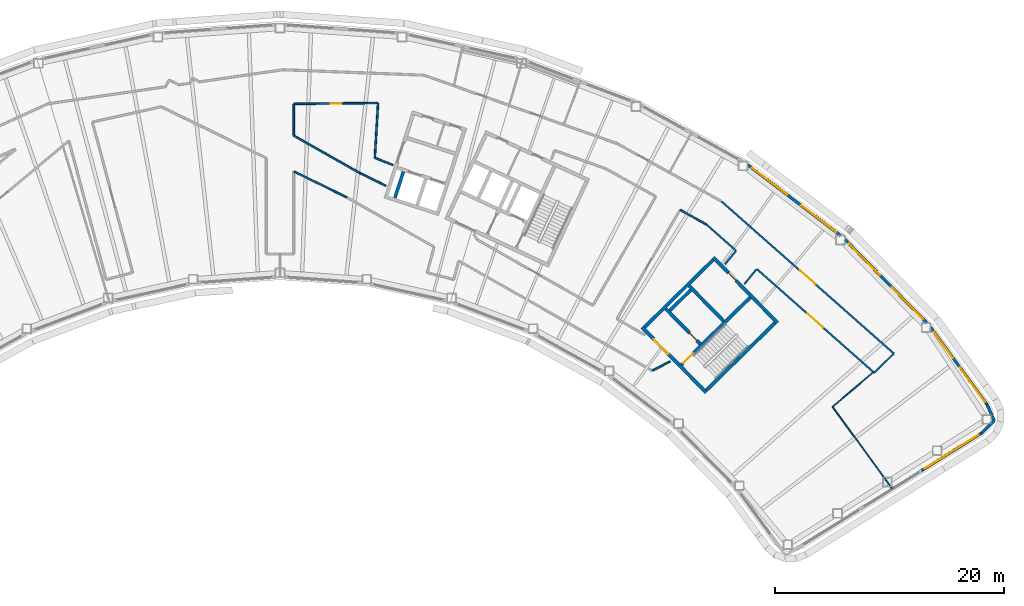
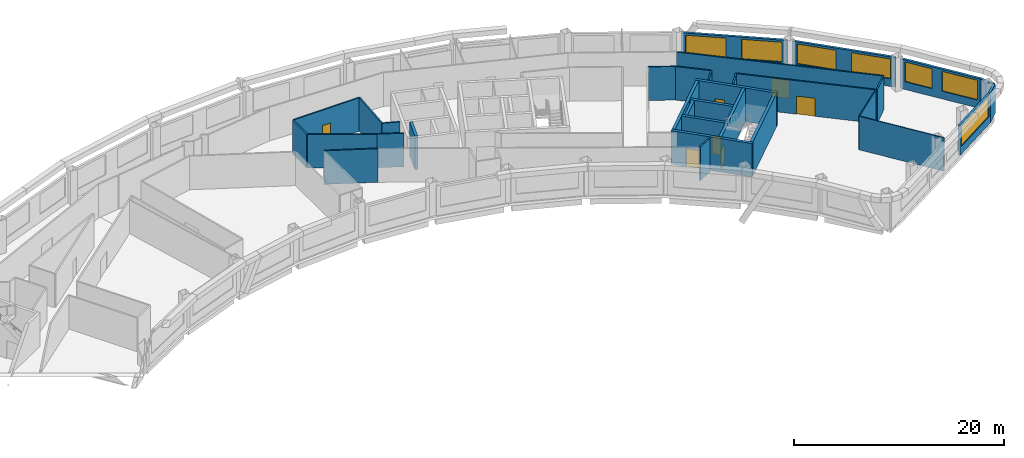
# One storey, part 9 of 13: 32 walls, 7 doors, 7 windows, 14 openings.
"""IFC4 building model written with IfcOpenShell, lengths in metres."""

from ifc_helpers import new_model, si_unit, direction, frame, frame_2d, origin, place, context, subcontext, project, spatial, rectangle, extrude, material, layer, layer_set, type_object, element, fill, save


model = new_model("IFC4")

# Units and contexts
model_context = context("Model", 3, precision=1e-05, world=origin(), true_north=direction((0.0, 1.0)))
body_context = subcontext(model_context, "Body", "Model", "MODEL_VIEW")
ifc_project = project(units=[si_unit("LENGTHUNIT", "METRE"), si_unit("AREAUNIT", "SQUARE_METRE"), si_unit("VOLUMEUNIT", "CUBIC_METRE"), si_unit("PLANEANGLEUNIT", "RADIAN"), si_unit("MASSUNIT", "GRAM", prefix="KILO")], contexts=[model_context])

# Site, building, storey
site_placement = place(None, origin())
site = spatial("IfcSite", under=ifc_project, at=site_placement, CompositionType="ELEMENT")
building_placement = place(site_placement, origin())
building = spatial("IfcBuilding", under=site, at=building_placement, Name="Tuul Gate Civic Tower", CompositionType="ELEMENT")
storey_placement = place(building_placement, frame((0.0, 0.0, 252.60009765625)))
storey = spatial("IfcBuildingStorey", under=building, at=storey_placement, Name="Level 57", CompositionType="ELEMENT", Elevation=252.60009765625)

# Wall, opening, door
ifc_material_1 = material(Name="Concrete C50/60", Category="concrete")
ifc_layer_1 = layer(ifc_material_1, 0.300048828125)
ifc_layer_set_1 = layer_set([ifc_layer_1], Name="Concrete C50/60")
wall_type_1 = type_object("IfcWallType", Name="Core wall C50/60", PredefinedType="SHEAR", material=ifc_layer_set_1)
wall_1_placement = place(storey_placement, frame((48.22509765625, -18.327880859375, 0.0), z_axis=(0.0, 0.0, 1.0), x_axis=(-0.700021979774, 0.714121297703, 0.0)))
wall_1 = element("IfcWall", 1, at=wall_1_placement, inside=storey, type_object=wall_type_1, Name="Core wall", PredefinedType="SHEAR", context=body_context, shape_type="SweptSolid", body=[
    extrude(rectangle(XDim=8.0, YDim=0.300048828125, at=frame_2d((4.0, 0.0))), origin(), (0.0, 0.0, 1.0), 3.89990234375),
])
opening_1_placement = place(wall_1_placement, frame((4.72509765625, 0.0, 0.0)))
opening_1 = element("IfcOpeningElement", 2, at=opening_1_placement, cuts=wall_1, Name="Opening LB-E1-LOBBY-1", PredefinedType="OPENING", context=body_context, shape_type="SweptSolid", body=[
    extrude(rectangle(XDim=1.800048828125, YDim=2.10009765625, at=frame_2d((0.89990234375, 1.050048828125))), frame((0.0, 0.16015625, 0.0), z_axis=(0.0, -1.0, 0.0), x_axis=(1.0, 0.0, 0.0)), (0.0, 0.0, 1.0), 0.320068359375),
])
ifc_material_2 = material(Name="Steel", Category="steel")
door_type_1 = type_object("IfcDoorType", Name="Lobby door", OperationType="DOUBLE_DOOR_SINGLE_SWING", PredefinedType="DOOR", material=ifc_material_2)
door_1_placement = place(opening_1_placement, frame((1.800048828125, 0.0, 0.0), z_axis=(0.0, 0.0, 1.0), x_axis=(-1.0, 0.0, 0.0)))
door_1 = element("IfcDoor", 3, at=door_1_placement, inside=storey, type_object=door_type_1, Name="Lobby door E1-LOBBY", OperationType="DOUBLE_DOOR_SINGLE_SWING", OverallHeight=2.10009765625, OverallWidth=1.800048828125, PredefinedType="DOOR", context=body_context, shape_type="SweptSolid", body=[
    extrude(rectangle(XDim=1.800048828125, YDim=2.10009765625, at=frame_2d((0.900146484375, 1.050048828125))), frame((0.0, 0.02490234375, 0.0), z_axis=(0.0, -1.0, 0.0), x_axis=(1.0, 0.0, 0.0)), (0.0, 0.0, 1.0), 0.050048828125),
])
fill(opening_1, door_1)

wall_2_placement = place(storey_placement, frame((47.701904296875, -14.079833984375, 0.0), z_axis=(0.0, 0.0, 1.0), x_axis=(-0.700002721075, 0.714140175657, 0.0)))
wall_2 = element("IfcWall", 4, at=wall_2_placement, inside=storey, type_object=wall_type_1, Name="Core wall", PredefinedType="SHEAR", context=body_context, shape_type="SweptSolid", body=[
    extrude(rectangle(XDim=4.300048828125, YDim=0.300048828125, at=frame_2d((2.14990234375, 0.0))), origin(), (0.0, 0.0, 1.0), 3.89990234375),
])
opening_2_placement = place(wall_2_placement, frame((0.425048828125, 0.0, 0.0)))
opening_2 = element("IfcOpeningElement", 5, at=opening_2_placement, cuts=wall_2, Name="Opening FB-E1A1", PredefinedType="OPENING", context=body_context, shape_type="SweptSolid", body=[
    extrude(rectangle(XDim=0.89990234375, YDim=2.10009765625, at=frame_2d((0.449951171875, 1.050048828125))), frame((0.0, 0.16015625, 0.0), z_axis=(0.0, -1.0, 0.0), x_axis=(1.0, 0.0, 0.0)), (0.0, 0.0, 1.0), 0.320068359375),
])
ifc_material_3 = material(Name="Steel", Category="steel")
door_type_2 = type_object("IfcDoorType", Name="Store door", OperationType="NOTDEFINED", PredefinedType="DOOR", material=ifc_material_3)
door_2_placement = place(opening_2_placement, frame((0.89990234375, 0.0, 0.0), z_axis=(0.0, 0.0, 1.0), x_axis=(-1.0, 0.0, 0.0)))
door_2 = element("IfcDoor", 6, at=door_2_placement, inside=storey, type_object=door_type_2, Name="Store door E1A1", OperationType="SINGLE_SWING_RIGHT", OverallHeight=2.10009765625, OverallWidth=0.89990234375, PredefinedType="DOOR", context=body_context, shape_type="SweptSolid", body=[
    extrude(rectangle(XDim=0.89990234375, YDim=2.10009765625, at=frame_2d((0.449951171875, 1.050048828125))), frame((0.0, 0.02490234375, 0.0), z_axis=(0.0, -1.0, 0.0), x_axis=(1.0, 0.0, 0.0)), (0.0, 0.0, 1.0), 0.050048828125),
])
fill(opening_2, door_2)

# Wall
wall_3_placement = place(storey_placement, frame((49.737060546875, -12.0849609375, 0.0), z_axis=(0.0, 0.0, 1.0), x_axis=(-0.700002721075, 0.714140175657, 0.0)))
element("IfcWall", 7, at=wall_3_placement, inside=storey, type_object=wall_type_1, Name="Core wall", PredefinedType="SHEAR", context=body_context, shape_type="SweptSolid", body=[
    extrude(rectangle(XDim=4.300048828125, YDim=0.300048828125, at=frame_2d((2.14990234375, 0.0))), origin(), (0.0, 0.0, 1.0), 3.89990234375),
])

# Wall, opening, door
wall_4_placement = place(storey_placement, frame((54.43798828125, -12.23779296875, 0.0), z_axis=(0.0, 0.0, 1.0), x_axis=(-0.700021979774, 0.714121297703, 0.0)))
wall_4 = element("IfcWall", 8, at=wall_4_placement, inside=storey, type_object=wall_type_1, Name="Core wall", PredefinedType="SHEAR", context=body_context, shape_type="SweptSolid", body=[
    extrude(rectangle(XDim=8.0, YDim=0.300048828125, at=frame_2d((4.0, 0.0))), origin(), (0.0, 0.0, 1.0), 3.89990234375),
])
opening_3_placement = place(wall_4_placement, frame((5.175048828125, 0.0, 0.0)))
opening_3 = element("IfcOpeningElement", 9, at=opening_3_placement, cuts=wall_4, Name="Opening U-D18", PredefinedType="OPENING", context=body_context, shape_type="SweptSolid", body=[
    extrude(rectangle(XDim=0.89990234375, YDim=2.10009765625, at=frame_2d((0.449951171875, 1.050048828125))), frame((0.0, 0.16015625, 0.0), z_axis=(0.0, -1.0, 0.0), x_axis=(1.0, 0.0, 0.0)), (0.0, 0.0, 1.0), 0.320068359375),
])
ifc_material_4 = material(Name="Timber door leaf", Category="wood")
door_type_3 = type_object("IfcDoorType", Name="Door D09", OperationType="NOTDEFINED", PredefinedType="DOOR", material=ifc_material_4)
door_3_placement = place(opening_3_placement, origin())
door_3 = element("IfcDoor", 10, at=door_3_placement, inside=storey, type_object=door_type_3, Name="Door U-D18", OperationType="SINGLE_SWING_LEFT", OverallHeight=2.10009765625, OverallWidth=0.89990234375, PredefinedType="DOOR", context=body_context, shape_type="SweptSolid", body=[
    extrude(rectangle(XDim=0.89990234375, YDim=2.10009765625, at=frame_2d((0.449951171875, 1.050048828125))), frame((0.0, 0.02490234375, 0.0), z_axis=(0.0, -1.0, 0.0), x_axis=(1.0, 0.0, 0.0)), (0.0, 0.0, 1.0), 0.050048828125),
])
fill(opening_3, door_3)

# Wall
wall_5_placement = place(storey_placement, frame((48.227294921875, -18.115966796875, 0.0), z_axis=(0.0, 0.0, 1.0), x_axis=(0.714105315431, 0.700038283577, 0.0)))
element("IfcWall", 11, at=wall_5_placement, inside=storey, type_object=wall_type_1, Name="Core wall", PredefinedType="SHEAR", context=body_context, shape_type="SweptSolid", body=[
    extrude(rectangle(XDim=8.400146484375, YDim=0.300048828125, at=frame_2d((4.2001953125, 0.0))), origin(), (0.0, 0.0, 1.0), 3.89990234375),
])

# Wall, opening, door
wall_6_placement = place(storey_placement, frame((46.05712890625, -15.902099609375, 0.0), z_axis=(0.0, 0.0, 1.0), x_axis=(0.714134086973, 0.700008932674, 0.0)))
wall_6 = element("IfcWall", 12, at=wall_6_placement, inside=storey, type_object=wall_type_1, Name="Core wall", PredefinedType="SHEAR", context=body_context, shape_type="SweptSolid", body=[
    extrude(rectangle(XDim=8.400146484375, YDim=0.300048828125, at=frame_2d((4.2001953125, 0.0))), origin(), (0.0, 0.0, 1.0), 3.89990234375),
])
opening_4_placement = place(wall_6_placement, frame((0.199951171875, 0.0, 0.0)))
opening_4 = element("IfcOpeningElement", 13, at=opening_4_placement, cuts=wall_6, Name="Opening SD-ST-3", PredefinedType="OPENING", context=body_context, shape_type="SweptSolid", body=[
    extrude(rectangle(XDim=1.199951171875, YDim=2.10009765625, at=frame_2d((0.60009765625, 1.050048828125))), frame((0.0, 0.16015625, 0.0), z_axis=(0.0, -1.0, 0.0), x_axis=(1.0, 0.0, 0.0)), (0.0, 0.0, 1.0), 0.320068359375),
])
ifc_material_5 = material(Name="Steel", Category="steel")
door_type_4 = type_object("IfcDoorType", Name="Stair door", OperationType="NOTDEFINED", PredefinedType="DOOR", material=ifc_material_5)
door_4_placement = place(opening_4_placement, origin())
door_4 = element("IfcDoor", 14, at=door_4_placement, inside=storey, type_object=door_type_4, Name="Stair door ST-3", OperationType="SINGLE_SWING_LEFT", OverallHeight=2.10009765625, OverallWidth=1.199951171875, PredefinedType="DOOR", context=body_context, shape_type="SweptSolid", body=[
    extrude(rectangle(XDim=1.199951171875, YDim=2.10009765625, at=frame_2d((0.60009765625, 1.050048828125))), frame((0.0, 0.02490234375, 0.0), z_axis=(0.0, -1.0, 0.0), x_axis=(1.0, 0.0, 0.0)), (0.0, 0.0, 1.0), 0.050048828125),
])
fill(opening_4, door_4)

# Walls
wall_7_placement = place(storey_placement, frame((45.0439453125, -11.154052734375, 0.0), z_axis=(0.0, 0.0, 1.0), x_axis=(0.714108498262, 0.700035036773, 0.0)))
element("IfcWall", 15, at=wall_7_placement, inside=storey, type_object=wall_type_1, Name="Core wall", PredefinedType="SHEAR", context=body_context, shape_type="SweptSolid", body=[
    extrude(rectangle(XDim=2.550048828125, YDim=0.300048828125, at=frame_2d((1.27490234375, 0.0))), origin(), (0.0, 0.0, 1.0), 3.89990234375),
])
wall_8_placement = place(storey_placement, frame((42.837158203125, -12.616943359375, 0.0), z_axis=(0.0, 0.0, 1.0), x_axis=(0.714119844755, 0.700023461983, 0.0)))
element("IfcWall", 16, at=wall_8_placement, inside=storey, type_object=wall_type_1, Name="Core wall", PredefinedType="SHEAR", context=body_context, shape_type="SweptSolid", body=[
    extrude(rectangle(XDim=8.39990234375, YDim=0.300048828125, at=frame_2d((4.199951171875, 0.0))), origin(), (0.0, 0.0, 1.0), 3.89990234375),
])
ifc_material_6 = material(Name="Gypsum board partition")
ifc_layer_2 = layer(ifc_material_6, 0.14990234375)
ifc_layer_set_2 = layer_set([ifc_layer_2], Name="Gypsum board partition")
wall_type_2 = type_object("IfcWallType", Name="Corridor wall P150", PredefinedType="PARTITIONING", material=ifc_layer_set_2)
wall_9_placement = place(storey_placement, frame((48.224609375, -3.646728515625, 0.0), z_axis=(0.0, 0.0, 1.0), x_axis=(0.749336425898, -0.662189490118, 0.0)))
element("IfcWall", 17, at=wall_9_placement, inside=storey, type_object=wall_type_2, Name="p005", PredefinedType="PARTITIONING", context=body_context, shape_type="SweptSolid", body=[
    extrude(rectangle(XDim=3.454345703125, YDim=0.14990234375, at=frame_2d((1.72705078125, 0.0))), origin(), (0.0, 0.0, 1.0), 3.89990234375),
])

# Wall, opening, door
wall_10_placement = place(storey_placement, frame((52.642822265625, -7.55126953125, 0.0), z_axis=(0.0, 0.0, 1.0), x_axis=(0.749314440873, -0.662214367633, 0.0)))
wall_10 = element("IfcWall", 18, at=wall_10_placement, inside=storey, type_object=wall_type_2, Name="p006", PredefinedType="PARTITIONING", context=body_context, shape_type="SweptSolid", body=[
    extrude(rectangle(XDim=13.658935546875, YDim=0.14990234375, at=frame_2d((6.82958984375, 0.0))), origin(), (0.0, 0.0, 1.0), 3.89990234375),
])
opening_5_placement = place(wall_10_placement, frame((5.883544921875, 0.0, 0.0)))
opening_5 = element("IfcOpeningElement", 19, at=opening_5_placement, cuts=wall_10, Name="Opening U-D07", PredefinedType="OPENING", context=body_context, shape_type="SweptSolid", body=[
    extrude(rectangle(XDim=1.800048828125, YDim=2.10009765625, at=frame_2d((0.89990234375, 1.050048828125))), frame((0.0, 0.0849609375, 0.0), z_axis=(0.0, -1.0, 0.0), x_axis=(1.0, 0.0, 0.0)), (0.0, 0.0, 1.0), 0.169921875),
])
ifc_material_7 = material(Name="Timber door leaf, double", Category="wood")
door_type_5 = type_object("IfcDoorType", Name="Door D18", OperationType="DOUBLE_DOOR_SINGLE_SWING", PredefinedType="DOOR", material=ifc_material_7)
door_5_placement = place(opening_5_placement, frame((1.800048828125, 0.0, 0.0), z_axis=(0.0, 0.0, 1.0), x_axis=(-1.0, 0.0, 0.0)))
door_5 = element("IfcDoor", 20, at=door_5_placement, inside=storey, type_object=door_type_5, Name="Door U-D07", OperationType="DOUBLE_DOOR_SINGLE_SWING", OverallHeight=2.10009765625, OverallWidth=1.800048828125, PredefinedType="DOOR", context=body_context, shape_type="SweptSolid", body=[
    extrude(rectangle(XDim=1.800048828125, YDim=2.10009765625, at=frame_2d((0.900146484375, 1.050048828125))), frame((0.0, 0.02490234375, 0.0), z_axis=(0.0, -1.0, 0.0), x_axis=(1.0, 0.0, 0.0)), (0.0, 0.0, 1.0), 0.050048828125),
])
fill(opening_5, door_5)

# Wall
wall_11_placement = place(storey_placement, frame((62.877685546875, -16.596435546875, 0.0), z_axis=(0.0, 0.0, 1.0), x_axis=(0.711669598432, 0.702514329155, 0.0)))
element("IfcWall", 21, at=wall_11_placement, inside=storey, type_object=wall_type_2, Name="p007", PredefinedType="PARTITIONING", context=body_context, shape_type="SweptSolid", body=[
    extrude(rectangle(XDim=2.39990234375, YDim=0.14990234375, at=frame_2d((1.199951171875, 0.0))), origin(), (0.0, 0.0, 1.0), 3.89990234375),
])

# Wall, opening, door
wall_12_placement = place(storey_placement, frame((49.53955078125, -1.63134765625, 0.0), z_axis=(0.0, 0.0, 1.0), x_axis=(0.749762583853, -0.66170693502, 0.0)))
wall_12 = element("IfcWall", 22, at=wall_12_placement, inside=storey, type_object=wall_type_2, Name="p008", PredefinedType="PARTITIONING", context=body_context, shape_type="SweptSolid", body=[
    extrude(rectangle(XDim=20.06787109375, YDim=0.14990234375, at=frame_2d((10.033935546875, 0.0))), origin(), (0.0, 0.0, 1.0), 3.89990234375),
])
opening_6_placement = place(wall_12_placement, frame((9.1337890625, 0.0, 0.0)))
opening_6 = element("IfcOpeningElement", 23, at=opening_6_placement, cuts=wall_12, Name="Opening U-D01", PredefinedType="OPENING", context=body_context, shape_type="SweptSolid", body=[
    extrude(rectangle(XDim=1.800048828125, YDim=2.10009765625, at=frame_2d((0.89990234375, 1.050048828125))), frame((0.0, 0.0849609375, 0.0), z_axis=(0.0, -1.0, 0.0), x_axis=(1.0, 0.0, 0.0)), (0.0, 0.0, 1.0), 0.169921875),
])
door_6_placement = place(opening_6_placement, origin())
door_6 = element("IfcDoor", 24, at=door_6_placement, inside=storey, type_object=door_type_5, Name="Door U-D01", OperationType="DOUBLE_DOOR_SINGLE_SWING", OverallHeight=2.10009765625, OverallWidth=1.800048828125, PredefinedType="DOOR", context=body_context, shape_type="SweptSolid", body=[
    extrude(rectangle(XDim=1.800048828125, YDim=2.10009765625, at=frame_2d((0.89990234375, 1.050048828125))), frame((0.0, 0.02490234375, 0.0), z_axis=(0.0, -1.0, 0.0), x_axis=(1.0, 0.0, 0.0)), (0.0, 0.0, 1.0), 0.050048828125),
])
fill(opening_6, door_6)

# Walls
wall_13_placement = place(storey_placement, frame((12.240966796875, 4.0947265625, 0.0), z_axis=(0.0, 0.0, 1.0), x_axis=(0.869717206952, -0.493550382364, 0.0)))
element("IfcWall", 25, at=wall_13_placement, inside=storey, type_object=wall_type_2, Name="p020", PredefinedType="PARTITIONING", context=body_context, shape_type="SweptSolid", body=[
    extrude(rectangle(XDim=6.607666015625, YDim=0.14990234375, at=frame_2d((3.3037109375, 0.0))), origin(), (0.0, 0.0, 1.0), 3.89990234375),
])
wall_14_placement = place(storey_placement, frame((17.989013671875, 0.8330078125, 0.0), z_axis=(0.0, 0.0, 1.0), x_axis=(0.898595450667, -0.438778094303, 0.0)))
element("IfcWall", 26, at=wall_14_placement, inside=storey, type_object=wall_type_2, Name="p025", PredefinedType="PARTITIONING", context=body_context, shape_type="SweptSolid", body=[
    extrude(rectangle(XDim=2.564453125, YDim=0.14990234375, at=frame_2d((1.2822265625, 0.0))), origin(), (0.0, 0.0, 1.0), 3.89990234375),
])
wall_15_placement = place(storey_placement, frame((12.23095703125, 4.1123046875, 0.0), z_axis=(0.0, 0.0, 1.0), x_axis=(0.0, 1.0, 0.0)))
element("IfcWall", 27, at=wall_15_placement, inside=storey, type_object=wall_type_2, Name="p046", PredefinedType="PARTITIONING", context=body_context, shape_type="SweptSolid", body=[
    extrude(rectangle(XDim=2.732421875, YDim=0.14990234375, at=frame_2d((1.3662109375, 0.0))), origin(), (0.0, 0.0, 1.0), 3.89990234375),
])
wall_16_placement = place(storey_placement, frame((12.254150390625, 0.961181640625, 0.0), z_axis=(0.0, 0.0, 1.0), x_axis=(0.898674301723, -0.438616574496, 0.0)))
element("IfcWall", 28, at=wall_16_placement, inside=storey, type_object=wall_type_2, Name="p048", PredefinedType="PARTITIONING", context=body_context, shape_type="SweptSolid", body=[
    extrude(rectangle(XDim=5.13525390625, YDim=0.14990234375, at=frame_2d((2.567626953125, 0.0))), origin(), (0.0, 0.0, 1.0), 3.89990234375),
])
wall_17_placement = place(storey_placement, frame((43.515380859375, -16.412841796875, 0.0), z_axis=(0.0, 0.0, 1.0), x_axis=(0.885578182446, 0.464490347343, 0.0)))
element("IfcWall", 29, at=wall_17_placement, inside=storey, type_object=wall_type_2, Name="p056", PredefinedType="PARTITIONING", context=body_context, shape_type="SweptSolid", body=[
    extrude(rectangle(XDim=1.755126953125, YDim=0.14990234375, at=frame_2d((0.87744140625, 0.0))), origin(), (0.0, 0.0, 1.0), 3.89990234375),
])
wall_18_placement = place(storey_placement, frame((51.5478515625, -8.861083984375, 0.0), z_axis=(0.0, 0.0, 1.0), x_axis=(0.631991806449, 0.774975068361, 0.0)))
element("IfcWall", 30, at=wall_18_placement, inside=storey, type_object=wall_type_2, Name="p057", PredefinedType="PARTITIONING", context=body_context, shape_type="SweptSolid", body=[
    extrude(rectangle(XDim=1.68701171875, YDim=0.14990234375, at=frame_2d((0.843505859375, 0.0))), origin(), (0.0, 0.0, 1.0), 3.89990234375),
])
wall_19_placement = place(storey_placement, frame((45.94384765625, -2.385009765625, 0.0), z_axis=(0.0, 0.0, 1.0), x_axis=(0.875030665864, -0.484067488887, 0.0)))
element("IfcWall", 31, at=wall_19_placement, inside=storey, type_object=wall_type_2, Name="p083", PredefinedType="PARTITIONING", context=body_context, shape_type="SweptSolid", body=[
    extrude(rectangle(XDim=2.6064453125, YDim=0.14990234375, at=frame_2d((1.30322265625, 0.0))), origin(), (0.0, 0.0, 1.0), 3.89990234375),
])
wall_20_placement = place(storey_placement, frame((49.85791015625, -7.13720703125, 0.0), z_axis=(0.0, 0.0, 1.0), x_axis=(0.631447093318, 0.775418963103, 0.0)))
element("IfcWall", 32, at=wall_20_placement, inside=storey, type_object=wall_type_2, Name="p084", PredefinedType="PARTITIONING", context=body_context, shape_type="SweptSolid", body=[
    extrude(rectangle(XDim=1.51611328125, YDim=0.14990234375, at=frame_2d((0.758056640625, 0.0))), origin(), (0.0, 0.0, 1.0), 3.89990234375),
])

# Wall, opening, door
wall_21_placement = place(storey_placement, frame((12.250732421875, 6.86474609375, 0.0), z_axis=(0.0, 0.0, 1.0), x_axis=(0.999947886834, 0.010208996843, 0.0)))
wall_21 = element("IfcWall", 33, at=wall_21_placement, inside=storey, type_object=wall_type_2, Name="p088", PredefinedType="PARTITIONING", context=body_context, shape_type="SweptSolid", body=[
    extrude(rectangle(XDim=7.31787109375, YDim=0.14990234375, at=frame_2d((3.658935546875, 0.0))), origin(), (0.0, 0.0, 1.0), 3.89990234375),
])
opening_7_placement = place(wall_21_placement, frame((3.208984375, 0.0, 0.0)))
opening_7 = element("IfcOpeningElement", 34, at=opening_7_placement, cuts=wall_21, Name="Opening U-D14", PredefinedType="OPENING", context=body_context, shape_type="SweptSolid", body=[
    extrude(rectangle(XDim=0.89990234375, YDim=2.10009765625, at=frame_2d((0.449951171875, 1.050048828125))), frame((0.0, 0.0849609375, 0.0), z_axis=(0.0, -1.0, 0.0), x_axis=(1.0, 0.0, 0.0)), (0.0, 0.0, 1.0), 0.169921875),
])
door_7_placement = place(opening_7_placement, frame((0.89990234375, 0.0, 0.0), z_axis=(0.0, 0.0, 1.0), x_axis=(-1.0, 0.0, 0.0)))
door_7 = element("IfcDoor", 35, at=door_7_placement, inside=storey, type_object=door_type_3, Name="Door U-D14", OperationType="SINGLE_SWING_LEFT", OverallHeight=2.10009765625, OverallWidth=0.89990234375, PredefinedType="DOOR", context=body_context, shape_type="SweptSolid", body=[
    extrude(rectangle(XDim=0.89990234375, YDim=2.10009765625, at=frame_2d((0.449951171875, 1.050048828125))), frame((0.0, 0.02490234375, 0.0), z_axis=(0.0, -1.0, 0.0), x_axis=(1.0, 0.0, 0.0)), (0.0, 0.0, 1.0), 0.050048828125),
])
fill(opening_7, door_7)

# Walls
wall_22_placement = place(storey_placement, frame((19.31201171875, 2.158935546875, 0.0), z_axis=(0.0, 0.0, 1.0), x_axis=(0.057920451363, 0.998321201475, 0.0)))
element("IfcWall", 36, at=wall_22_placement, inside=storey, type_object=wall_type_2, Name="p089", PredefinedType="PARTITIONING", context=body_context, shape_type="SweptSolid", body=[
    extrude(rectangle(XDim=4.767333984375, YDim=0.14990234375, at=frame_2d((2.3837890625, 0.0))), origin(), (0.0, 0.0, 1.0), 3.89990234375),
])
wall_23_placement = place(storey_placement, frame((19.3125, 2.158203125, 0.0), z_axis=(0.0, 0.0, 1.0), x_axis=(0.92863564679, -0.370993039708, 0.0)))
element("IfcWall", 37, at=wall_23_placement, inside=storey, type_object=wall_type_2, Name="p090", PredefinedType="PARTITIONING", context=body_context, shape_type="SweptSolid", body=[
    extrude(rectangle(XDim=1.69384765625, YDim=0.14990234375, at=frame_2d((0.846923828125, 0.0))), origin(), (0.0, 0.0, 1.0), 3.89990234375),
])
ifc_material_8 = material(Name="Precast concrete C40/50", Category="concrete")
ifc_layer_3 = layer(ifc_material_8, 0.25)
ifc_layer_set_3 = layer_set([ifc_layer_3], Name="Precast concrete C40/50")
wall_type_3 = type_object("IfcWallType", Name="External wall", PredefinedType="STANDARD", material=ifc_layer_set_3)
wall_24_placement = place(storey_placement, frame((72.2216796875, -21.86669921875, 0.0), z_axis=(0.0, 0.0, 1.0), x_axis=(0.722783622894, 0.69107440589, 0.0)))
element("IfcWall", 38, at=wall_24_placement, inside=storey, type_object=wall_type_3, Name="External wall", PredefinedType="STANDARD", context=body_context, shape_type="SweptSolid", body=[
    extrude(rectangle(XDim=1.570556640625, YDim=0.25, at=frame_2d((0.78515625, 0.0))), origin(), (0.0, 0.0, 1.0), 3.449951171875),
])
wall_25_placement = place(storey_placement, frame((73.35693359375, -20.78125, 0.0), z_axis=(0.0, 0.0, 1.0), x_axis=(-0.412995937313, 0.9107328674, 0.0)))
element("IfcWall", 39, at=wall_25_placement, inside=storey, type_object=wall_type_3, Name="External wall", PredefinedType="STANDARD", context=body_context, shape_type="SweptSolid", body=[
    extrude(rectangle(XDim=1.572998046875, YDim=0.25, at=frame_2d((0.78662109375, 0.0))), origin(), (0.0, 0.0, 1.0), 3.449951171875),
])

# Wall, openings, windows
wall_26_placement = place(storey_placement, frame((72.719970703125, -19.37060546875, 0.0), z_axis=(0.0, 0.0, 1.0), x_axis=(-0.589821256366, 0.807533829346, 0.0)))
wall_26 = element("IfcWall", 40, at=wall_26_placement, inside=storey, type_object=wall_type_3, Name="External wall", PredefinedType="STANDARD", context=body_context, shape_type="SweptSolid", body=[
    extrude(rectangle(XDim=8.33642578125, YDim=0.25, at=frame_2d((4.168212890625, 0.0))), origin(), (0.0, 0.0, 1.0), 3.449951171875),
])
opening_8_placement = place(wall_26_placement, frame((0.30078125, 0.0, 0.89990234375)))
opening_8 = element("IfcOpeningElement", 41, at=opening_8_placement, cuts=wall_26, Name="Opening W21", PredefinedType="OPENING", context=body_context, shape_type="SweptSolid", body=[
    extrude(rectangle(XDim=3.699951171875, YDim=2.300048828125, at=frame_2d((1.85009765625, 1.14990234375))), frame((0.0, 0.135009765625, 0.0), z_axis=(0.0, -1.0, 0.0), x_axis=(1.0, 0.0, 0.0)), (0.0, 0.0, 1.0), 0.27001953125),
])
opening_9_placement = place(wall_26_placement, frame((5.052001953125, 0.0, 0.89990234375)))
opening_9 = element("IfcOpeningElement", 42, at=opening_9_placement, cuts=wall_26, Name="Opening W23", PredefinedType="OPENING", context=body_context, shape_type="SweptSolid", body=[
    extrude(rectangle(XDim=2.800048828125, YDim=2.300048828125, at=frame_2d((1.39990234375, 1.14990234375))), frame((0.0, 0.135009765625, 0.0), z_axis=(0.0, -1.0, 0.0), x_axis=(1.0, 0.0, 0.0)), (0.0, 0.0, 1.0), 0.27001953125),
])
ifc_material_9 = material(Name="Glass", Category="glass")
window_type_1 = type_object("IfcWindowType", Name="Window W21 3700 x 2300", PartitioningType="SINGLE_PANEL", PredefinedType="WINDOW", material=ifc_material_9)
window_1_placement = place(opening_8_placement, origin())
window_1 = element("IfcWindow", 43, at=window_1_placement, inside=storey, type_object=window_type_1, Name="Window", OverallHeight=2.300048828125, OverallWidth=3.699951171875, PartitioningType="SINGLE_PANEL", PredefinedType="WINDOW", context=body_context, shape_type="SweptSolid", body=[
    extrude(rectangle(XDim=3.699951171875, YDim=2.300048828125, at=frame_2d((1.85009765625, 1.14990234375))), frame((0.0, 0.030029296875, 0.0), z_axis=(0.0, -1.0, 0.0), x_axis=(1.0, 0.0, 0.0)), (0.0, 0.0, 1.0), 0.06005859375),
])
fill(opening_8, window_1)
ifc_material_10 = material(Name="Glass", Category="glass")
window_type_2 = type_object("IfcWindowType", Name="Window W23 2800 x 2300", PartitioningType="SINGLE_PANEL", PredefinedType="WINDOW", material=ifc_material_10)
window_2_placement = place(opening_9_placement, origin())
window_2 = element("IfcWindow", 44, at=window_2_placement, inside=storey, type_object=window_type_2, Name="Window", OverallHeight=2.300048828125, OverallWidth=2.800048828125, PartitioningType="SINGLE_PANEL", PredefinedType="WINDOW", context=body_context, shape_type="SweptSolid", body=[
    extrude(rectangle(XDim=2.800048828125, YDim=2.300048828125, at=frame_2d((1.39990234375, 1.14990234375))), frame((0.0, 0.030029296875, 0.0), z_axis=(0.0, -1.0, 0.0), x_axis=(1.0, 0.0, 0.0)), (0.0, 0.0, 1.0), 0.06005859375),
])
fill(opening_9, window_2)

wall_27_placement = place(storey_placement, frame((67.466064453125, -12.241943359375, 0.0), z_axis=(0.0, 0.0, 1.0), x_axis=(-0.700008693155, 0.714134321754, 0.0)))
wall_27 = element("IfcWall", 45, at=wall_27_placement, inside=storey, type_object=wall_type_3, Name="External wall", PredefinedType="STANDARD", context=body_context, shape_type="SweptSolid", body=[
    extrude(rectangle(XDim=10.197265625, YDim=0.25, at=frame_2d((5.0986328125, 0.0))), origin(), (0.0, 0.0, 1.0), 3.449951171875),
])
opening_10_placement = place(wall_27_placement, frame((0.487060546875, 0.0, 0.89990234375)))
opening_10 = element("IfcOpeningElement", 46, at=opening_10_placement, cuts=wall_27, Name="Opening W22", PredefinedType="OPENING", context=body_context, shape_type="SweptSolid", body=[
    extrude(rectangle(XDim=3.85009765625, YDim=2.300048828125, at=frame_2d((1.925048828125, 1.14990234375))), frame((0.0, 0.135009765625, 0.0), z_axis=(0.0, -1.0, 0.0), x_axis=(1.0, 0.0, 0.0)), (0.0, 0.0, 1.0), 0.27001953125),
])
opening_11_placement = place(wall_27_placement, frame((5.8583984375, 0.0, 0.89990234375)))
opening_11 = element("IfcOpeningElement", 47, at=opening_11_placement, cuts=wall_27, Name="Opening W22", PredefinedType="OPENING", context=body_context, shape_type="SweptSolid", body=[
    extrude(rectangle(XDim=3.85009765625, YDim=2.300048828125, at=frame_2d((1.925048828125, 1.14990234375))), frame((0.0, 0.135009765625, 0.0), z_axis=(0.0, -1.0, 0.0), x_axis=(1.0, 0.0, 0.0)), (0.0, 0.0, 1.0), 0.27001953125),
])
ifc_material_11 = material(Name="Glass", Category="glass")
window_type_3 = type_object("IfcWindowType", Name="Window W22 3850 x 2300", PartitioningType="SINGLE_PANEL", PredefinedType="WINDOW", material=ifc_material_11)
window_3_placement = place(opening_10_placement, origin())
window_3 = element("IfcWindow", 48, at=window_3_placement, inside=storey, type_object=window_type_3, Name="Window", OverallHeight=2.300048828125, OverallWidth=3.85009765625, PartitioningType="SINGLE_PANEL", PredefinedType="WINDOW", context=body_context, shape_type="SweptSolid", body=[
    extrude(rectangle(XDim=3.85009765625, YDim=2.300048828125, at=frame_2d((1.925048828125, 1.14990234375))), frame((0.0, 0.030029296875, 0.0), z_axis=(0.0, -1.0, 0.0), x_axis=(1.0, 0.0, 0.0)), (0.0, 0.0, 1.0), 0.06005859375),
])
fill(opening_10, window_3)
window_4_placement = place(opening_11_placement, origin())
window_4 = element("IfcWindow", 49, at=window_4_placement, inside=storey, type_object=window_type_3, Name="Window", OverallHeight=2.300048828125, OverallWidth=3.85009765625, PartitioningType="SINGLE_PANEL", PredefinedType="WINDOW", context=body_context, shape_type="SweptSolid", body=[
    extrude(rectangle(XDim=3.85009765625, YDim=2.300048828125, at=frame_2d((1.925048828125, 1.14990234375))), frame((0.0, 0.030029296875, 0.0), z_axis=(0.0, -1.0, 0.0), x_axis=(1.0, 0.0, 0.0)), (0.0, 0.0, 1.0), 0.06005859375),
])
fill(opening_11, window_4)

wall_28_placement = place(storey_placement, frame((59.9404296875, -4.616943359375, 0.0), z_axis=(0.0, 0.0, 1.0), x_axis=(-0.795654969417, 0.605750088437, 0.0)))
wall_28 = element("IfcWall", 50, at=wall_28_placement, inside=storey, type_object=wall_type_3, Name="External wall", PredefinedType="STANDARD", context=body_context, shape_type="SweptSolid", body=[
    extrude(rectangle(XDim=10.189697265625, YDim=0.25, at=frame_2d((5.0947265625, 0.0))), origin(), (0.0, 0.0, 1.0), 3.449951171875),
])
opening_12_placement = place(wall_28_placement, frame((0.49560546875, 0.0, 0.89990234375)))
opening_12 = element("IfcOpeningElement", 51, at=opening_12_placement, cuts=wall_28, Name="Opening W22", PredefinedType="OPENING", context=body_context, shape_type="SweptSolid", body=[
    extrude(rectangle(XDim=3.85009765625, YDim=2.300048828125, at=frame_2d((1.925048828125, 1.14990234375))), frame((0.0, 0.135009765625, 0.0), z_axis=(0.0, -1.0, 0.0), x_axis=(1.0, 0.0, 0.0)), (0.0, 0.0, 1.0), 0.27001953125),
])
opening_13_placement = place(wall_28_placement, frame((5.86669921875, 0.0, 0.89990234375)))
opening_13 = element("IfcOpeningElement", 52, at=opening_13_placement, cuts=wall_28, Name="Opening W22", PredefinedType="OPENING", context=body_context, shape_type="SweptSolid", body=[
    extrude(rectangle(XDim=3.85009765625, YDim=2.300048828125, at=frame_2d((1.925048828125, 1.14990234375))), frame((0.0, 0.135009765625, 0.0), z_axis=(0.0, -1.0, 0.0), x_axis=(1.0, 0.0, 0.0)), (0.0, 0.0, 1.0), 0.27001953125),
])
window_5_placement = place(opening_12_placement, origin())
window_5 = element("IfcWindow", 53, at=window_5_placement, inside=storey, type_object=window_type_3, Name="Window", OverallHeight=2.300048828125, OverallWidth=3.85009765625, PartitioningType="SINGLE_PANEL", PredefinedType="WINDOW", context=body_context, shape_type="SweptSolid", body=[
    extrude(rectangle(XDim=3.85009765625, YDim=2.300048828125, at=frame_2d((1.925048828125, 1.14990234375))), frame((0.0, 0.030029296875, 0.0), z_axis=(0.0, -1.0, 0.0), x_axis=(1.0, 0.0, 0.0)), (0.0, 0.0, 1.0), 0.06005859375),
])
fill(opening_12, window_5)
window_6_placement = place(opening_13_placement, origin())
window_6 = element("IfcWindow", 54, at=window_6_placement, inside=storey, type_object=window_type_3, Name="Window", OverallHeight=2.300048828125, OverallWidth=3.85009765625, PartitioningType="SINGLE_PANEL", PredefinedType="WINDOW", context=body_context, shape_type="SweptSolid", body=[
    extrude(rectangle(XDim=3.85009765625, YDim=2.300048828125, at=frame_2d((1.925048828125, 1.14990234375))), frame((0.0, 0.030029296875, 0.0), z_axis=(0.0, -1.0, 0.0), x_axis=(1.0, 0.0, 0.0)), (0.0, 0.0, 1.0), 0.06005859375),
])
fill(opening_13, window_6)

# Wall, opening, window
wall_29_placement = place(storey_placement, frame((66.99853515625, -25.127685546875, 0.0), z_axis=(0.0, 0.0, 1.0), x_axis=(0.848024923451, 0.529956346509, 0.0)))
wall_29 = element("IfcWall", 55, at=wall_29_placement, inside=storey, type_object=wall_type_3, Name="External wall", PredefinedType="STANDARD", context=body_context, shape_type="SweptSolid", body=[
    extrude(rectangle(XDim=6.182861328125, YDim=0.25, at=frame_2d((3.09130859375, 0.0))), origin(), (0.0, 0.0, 1.0), 3.449951171875),
])
opening_14_placement = place(wall_29_placement, frame((0.31640625, 0.0, 0.89990234375)))
opening_14 = element("IfcOpeningElement", 56, at=opening_14_placement, cuts=wall_29, Name="Opening W24", PredefinedType="OPENING", context=body_context, shape_type="SweptSolid", body=[
    extrude(rectangle(XDim=5.550048828125, YDim=2.300048828125, at=frame_2d((2.77490234375, 1.14990234375))), frame((0.0, 0.135009765625, 0.0), z_axis=(0.0, -1.0, 0.0), x_axis=(1.0, 0.0, 0.0)), (0.0, 0.0, 1.0), 0.27001953125),
])
ifc_material_12 = material(Name="Glass", Category="glass")
window_type_4 = type_object("IfcWindowType", Name="Window W24 5550 x 2300", PartitioningType="SINGLE_PANEL", PredefinedType="WINDOW", material=ifc_material_12)
window_7_placement = place(opening_14_placement, origin())
window_7 = element("IfcWindow", 57, at=window_7_placement, inside=storey, type_object=window_type_4, Name="Window", OverallHeight=2.300048828125, OverallWidth=5.550048828125, PartitioningType="SINGLE_PANEL", PredefinedType="WINDOW", context=body_context, shape_type="SweptSolid", body=[
    extrude(rectangle(XDim=5.550048828125, YDim=2.300048828125, at=frame_2d((2.77490234375, 1.14990234375))), frame((0.0, 0.030029296875, 0.0), z_axis=(0.0, -1.0, 0.0), x_axis=(1.0, 0.0, 0.0)), (0.0, 0.0, 1.0), 0.06005859375),
])
fill(opening_14, window_7)

# Walls
ifc_material_13 = material(Name="Concrete C40/50", Category="concrete")
ifc_layer_4 = layer(ifc_material_13, 0.300048828125)
ifc_layer_set_4 = layer_set([ifc_layer_4], Name="Concrete C40/50")
wall_type_4 = type_object("IfcWallType", Name="Lift shaft wall C40/50", PredefinedType="STANDARD", material=ifc_layer_set_4)
wall_30_placement = place(storey_placement, frame((21.058349609375, -1.336669921875, 0.0), z_axis=(0.0, 0.0, 1.0), x_axis=(0.309138975195, 0.951016873675, 0.0)))
element("IfcWall", 58, at=wall_30_placement, inside=storey, type_object=wall_type_4, Name="Shaft wall", PredefinedType="STANDARD", context=body_context, shape_type="SweptSolid", body=[
    extrude(rectangle(XDim=2.400146484375, YDim=0.300048828125, at=frame_2d((1.2001953125, 0.0))), origin(), (0.0, 0.0, 1.0), 3.89990234375),
])
ifc_material_14 = material(Name="Gypsum board partition")
ifc_layer_5 = layer(ifc_material_14, 0.10009765625)
ifc_layer_set_5 = layer_set([ifc_layer_5], Name="Gypsum board partition")
wall_type_5 = type_object("IfcWallType", Name="Partition P100", PredefinedType="PARTITIONING", material=ifc_layer_set_5)
wall_31_placement = place(storey_placement, frame((59.23486328125, -19.56494140625, 0.0), z_axis=(0.0, 0.0, 1.0), x_axis=(0.589815518848, -0.807538019988, 0.0)))
element("IfcWall", 59, at=wall_31_placement, inside=storey, type_object=wall_type_5, Name="p002", PredefinedType="PARTITIONING", context=body_context, shape_type="SweptSolid", body=[
    extrude(rectangle(XDim=8.859619140625, YDim=0.10009765625, at=frame_2d((4.4296875, 0.0))), origin(), (0.0, 0.0, 1.0), 3.89990234375),
])
wall_32_placement = place(storey_placement, frame((59.23486328125, -19.56494140625, 0.0), z_axis=(0.0, 0.0, 1.0), x_axis=(0.762842450908, 0.646584406781, 0.0)))
element("IfcWall", 60, at=wall_32_placement, inside=storey, type_object=wall_type_5, Name="p003", PredefinedType="PARTITIONING", context=body_context, shape_type="SweptSolid", body=[
    extrude(rectangle(XDim=4.68505859375, YDim=0.10009765625, at=frame_2d((2.342529296875, 0.0))), origin(), (0.0, 0.0, 1.0), 3.89990234375),
])

save(model, "model.ifc")
